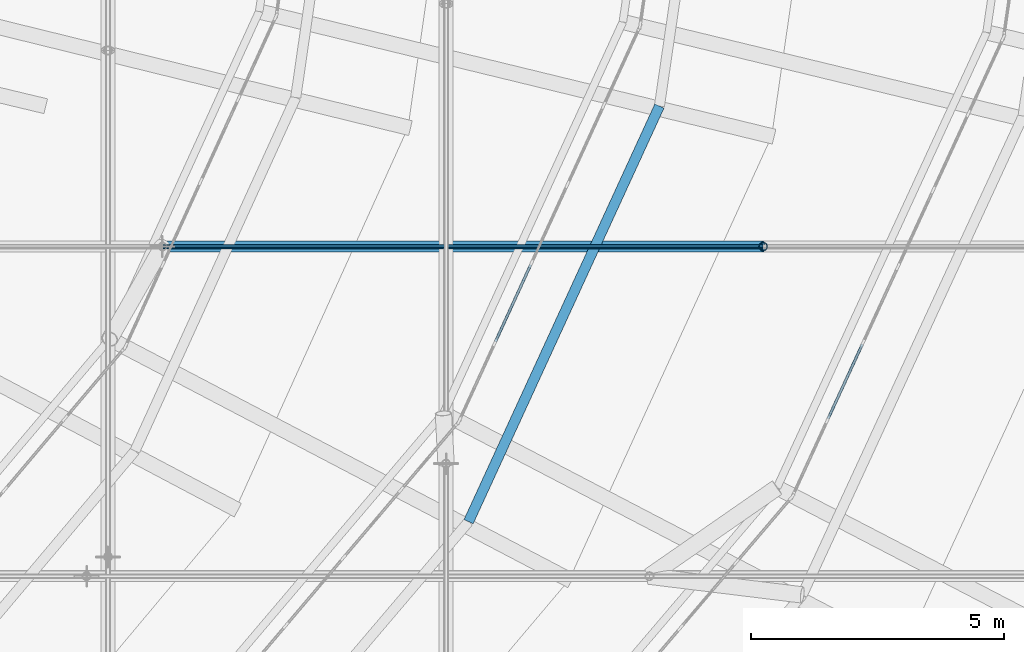
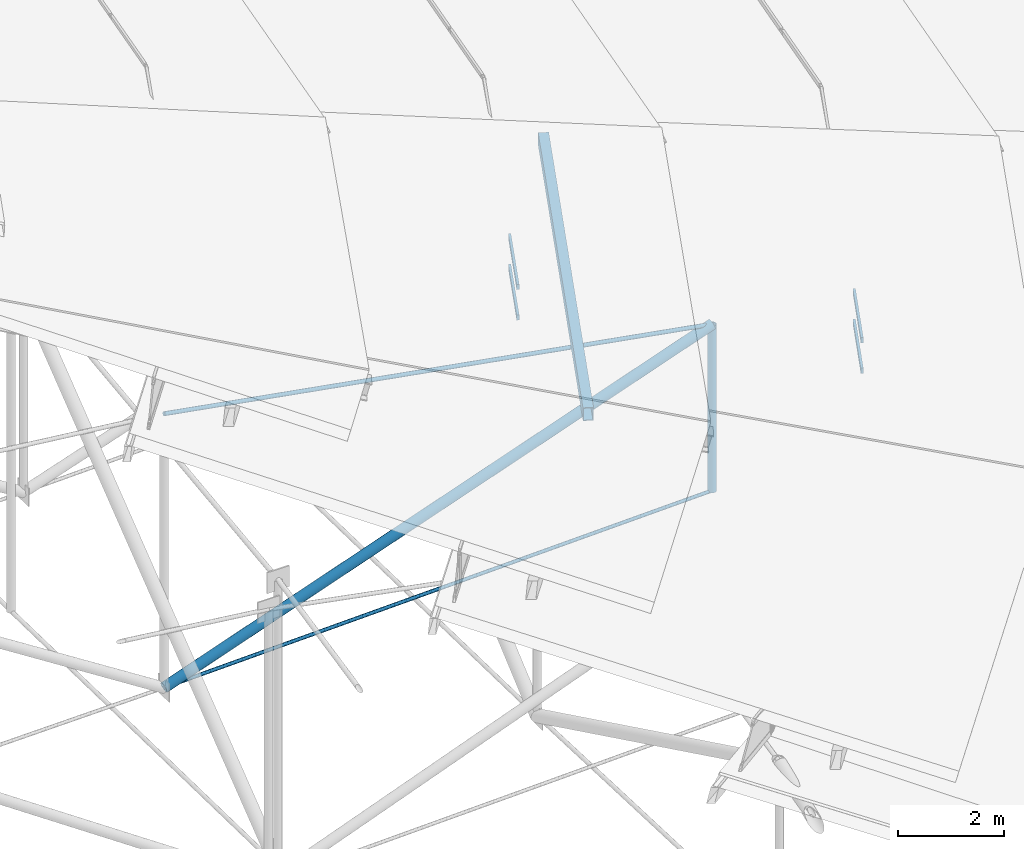
# One storey, part 82 of 173: 9 members, 2 elements without a shape of their own.
"""IFC4 building model written with IfcOpenShell, lengths in metres."""

from ifc_helpers import new_model, si_unit, direction, frame, origin, origin_2d, place, context, subcontext, project, spatial, rectangle, hollow_rectangle, circle, hollow_circle, extrude, material, material_profile, profile_set, type_object, element, aggregate, save


model = new_model("IFC4")

# Units and contexts
model_context = context("Model", 3, precision=1e-05, world=origin(), true_north=direction((0.0, 1.0)))
body_context = subcontext(model_context, "Body", "Model", "MODEL_VIEW")
ifc_project = project(units=[si_unit("LENGTHUNIT", "METRE"), si_unit("AREAUNIT", "SQUARE_METRE"), si_unit("VOLUMEUNIT", "CUBIC_METRE"), si_unit("PLANEANGLEUNIT", "RADIAN"), si_unit("MASSUNIT", "GRAM", prefix="KILO")], contexts=[model_context])

# Site, building, storey
site_placement = place(None, origin())
site = spatial("IfcSite", under=ifc_project, at=site_placement, CompositionType="ELEMENT")
building_placement = place(site_placement, origin())
building = spatial("IfcBuilding", under=site, at=building_placement, Name="Glasvene Arena", CompositionType="ELEMENT")
storey_placement = place(building_placement, frame((0.0, 0.0, 28.800048828125)))
storey = spatial("IfcBuildingStorey", under=building, at=storey_placement, Name="RF", CompositionType="ELEMENT", Elevation=28.800048828125)

# Curtain wall, members
ifc_material_1 = material(Name="Low-emissivity laminated double glazing", Category="glass")
curtain_wall_type_1 = type_object("IfcCurtainWallType", Name="CW-PET1-1001x75", PredefinedType="USERDEFINED", material=ifc_material_1)
curtain_wall_1_placement = place(storey_placement, frame((128.2431640625, 54.14990234375, 0.0)))
curtain_wall_1 = element("IfcCurtainWall", 1, at=curtain_wall_1_placement, inside=storey, type_object=curtain_wall_type_1, Name="Petal ring 1-2 clerestory curtain wall 23", ObjectType="CURTAIN WALL", PredefinedType="USERDEFINED")
ifc_material_2 = material(Name="Anodised architectural aluminium", Category="aluminium")
ifc_material_profile_1 = material_profile(ifc_material_2, rectangle(XDim=0.050048828125, YDim=0.1201171875, at=origin_2d()), Name="ALU TRANSOM 50x120")
ifc_profile_set_1 = profile_set([ifc_material_profile_1], Name="Anodised architectural aluminium")
member_type_1 = type_object("IfcMemberType", Name="CW-TRN-120", PredefinedType="USERDEFINED", material=ifc_profile_set_1)
member_1_placement = place(storey_placement, frame((128.950439453125, 55.688232421875, 2.60498046875), z_axis=(0.417823409802, 0.908528259451, 0.0), x_axis=(-0.908528259451, 0.417823409802, 0.0)))
member_1 = element("IfcMember", 2, at=member_1_placement, type_object=member_type_1, Name="CW-082 transom 2.1", ObjectType="TRANSOM", PredefinedType="USERDEFINED", context=body_context, shape_type="SweptSolid", body=[
    extrude(rectangle(XDim=0.050048828125, YDim=0.1201171875, at=origin_2d()), origin(), (0.0, 0.0, 1.0), 1.617919921875),
])
member_2_placement = place(storey_placement, frame((128.950439453125, 55.688232421875, 3.304931640625), z_axis=(0.417823409802, 0.908528259451, 0.0), x_axis=(-0.908528259451, 0.417823409802, 0.0)))
member_2 = element("IfcMember", 3, at=member_2_placement, type_object=member_type_1, Name="CW-082 transom 2.2", ObjectType="TRANSOM", PredefinedType="USERDEFINED", context=body_context, shape_type="SweptSolid", body=[
    extrude(rectangle(XDim=0.050048828125, YDim=0.1201171875, at=origin_2d()), origin(), (0.0, 0.0, 1.0), 1.617919921875),
])
aggregate(curtain_wall_1, [member_1, member_2])

curtain_wall_type_2 = type_object("IfcCurtainWallType", Name="CW-PET2-861x75", PredefinedType="USERDEFINED", material=ifc_material_1)
curtain_wall_2_placement = place(storey_placement, frame((121.640380859375, 55.625, 0.0)))
curtain_wall_2 = element("IfcCurtainWall", 4, at=curtain_wall_2_placement, inside=storey, type_object=curtain_wall_type_2, Name="Petal ring 2-3 clerestory curtain wall 23", ObjectType="CURTAIN WALL", PredefinedType="USERDEFINED")
member_3_placement = place(storey_placement, frame((122.367919921875, 57.212890625, 5.204833984375), z_axis=(0.416584319782, 0.909097082006, 0.0), x_axis=(-0.909097082006, 0.416584319782, 0.0)))
member_3 = element("IfcMember", 5, at=member_3_placement, type_object=member_type_1, Name="CW-088 transom 2.1", ObjectType="TRANSOM", PredefinedType="USERDEFINED", context=body_context, shape_type="SweptSolid", body=[
    extrude(rectangle(XDim=0.050048828125, YDim=0.1201171875, at=origin_2d()), origin(), (0.0, 0.0, 1.0), 1.672119140625),
])
member_4_placement = place(storey_placement, frame((122.367919921875, 57.212890625, 5.905029296875), z_axis=(0.416584319782, 0.909097082006, 0.0), x_axis=(-0.909097082006, 0.416584319782, 0.0)))
member_4 = element("IfcMember", 6, at=member_4_placement, type_object=member_type_1, Name="CW-088 transom 2.2", ObjectType="TRANSOM", PredefinedType="USERDEFINED", context=body_context, shape_type="SweptSolid", body=[
    extrude(rectangle(XDim=0.050048828125, YDim=0.1201171875, at=origin_2d()), origin(), (0.0, 0.0, 1.0), 1.672119140625),
])
aggregate(curtain_wall_2, [member_3, member_4])

# Members
ifc_material_3 = material(Name="High-strength steel spiral strand S460", Category="steel")
ifc_material_profile_2 = material_profile(ifc_material_3, circle(Radius=0.03759765625, at=origin_2d()), Name="LCSS D75")
ifc_profile_set_2 = profile_set([ifc_material_profile_2], Name="High-strength steel spiral strand S460")
member_type_2 = type_object("IfcMemberType", Name="MB-CABLE-75", PredefinedType="USERDEFINED", material=ifc_profile_set_2)
member_5_placement = place(storey_placement, frame((115.7763671875, 59.09423828125, -2.112548828125), z_axis=(0.999543398648, 0.0, 0.030215794201), x_axis=(0.0, 1.0, 0.0)))
element("IfcMember", 7, at=member_5_placement, inside=storey, type_object=member_type_2, Name="Lower stabilization roof cable EW02-07", ObjectType="ROOF CABLE", PredefinedType="USERDEFINED", context=body_context, shape_type="SweptSolid", body=[
    extrude(circle(Radius=0.03759765625, at=origin_2d()), origin(), (0.0, 0.0, 1.0), 11.8935546875),
])
ifc_material_profile_3 = material_profile(ifc_material_3, circle(Radius=0.044921875, at=origin_2d()), Name="LCSS D90")
ifc_profile_set_3 = profile_set([ifc_material_profile_3], Name="High-strength steel spiral strand S460")
member_type_3 = type_object("IfcMemberType", Name="MB-CABLE-90", PredefinedType="USERDEFINED", material=ifc_profile_set_3)
member_6_placement = place(storey_placement, frame((115.7763671875, 59.09423828125, 4.1669921875), z_axis=(0.98466934611, 0.0, -0.174431301178), x_axis=(0.0, 1.0, 0.0)))
element("IfcMember", 8, at=member_6_placement, inside=storey, type_object=member_type_3, Name="Upper lens roof cable EW02-07", ObjectType="ROOF CABLE", PredefinedType="USERDEFINED", context=body_context, shape_type="SweptSolid", body=[
    extrude(circle(Radius=0.044921875, at=origin_2d()), origin(), (0.0, 0.0, 1.0), 12.0732421875),
])
ifc_material_4 = material(Name="Steel S355J2", Category="steel")
ifc_material_profile_4 = material_profile(ifc_material_4, hollow_rectangle(XDim=0.199951171875, YDim=0.300048828125, WallThickness=0.012451171875, at=origin_2d()), Name="RHS 300x200x12.5")
ifc_profile_set_4 = profile_set([ifc_material_profile_4], Name="Steel S355J2")
member_type_4 = type_object("IfcMemberType", Name="MB-PURLIN-RHS300", PredefinedType="PURLIN", material=ifc_profile_set_4)
member_7_placement = place(storey_placement, frame((121.835693359375, 53.64990234375, 5.33935546875), z_axis=(0.417281625524, 0.908777225177, 0.0), x_axis=(-0.908777225177, 0.417281625524, 0.0)))
element("IfcMember", 9, at=member_7_placement, inside=storey, type_object=member_type_4, Name="Petal ring 3 outer purlin 23", PredefinedType="PURLIN", context=body_context, shape_type="SweptSolid", body=[
    extrude(hollow_rectangle(XDim=0.199951171875, YDim=0.300048828125, WallThickness=0.012451171875, at=origin_2d()), origin(), (0.0, 0.0, 1.0), 9.0498046875),
])
ifc_material_profile_5 = material_profile(ifc_material_4, hollow_circle(Radius=0.084228515625, WallThickness=0.008056640625, at=origin_2d()), Name="CHS 168.3x8.0")
ifc_profile_set_5 = profile_set([ifc_material_profile_5], Name="Steel S355J2")
member_type_5 = type_object("IfcMemberType", Name="MB-WEB-CHS168", PredefinedType="BRACE", material=ifc_profile_set_5)
member_8_placement = place(storey_placement, frame((127.66455078125, 59.09423828125, -1.753173828125), z_axis=(0.0, 0.0, 1.0), x_axis=(1.0, 0.0, 0.0)))
element("IfcMember", 10, at=member_8_placement, inside=storey, type_object=member_type_5, Name="Cable-truss vertical strut EW02-07", PredefinedType="BRACE", context=body_context, shape_type="SweptSolid", body=[
    extrude(hollow_circle(Radius=0.084228515625, WallThickness=0.008056640625, at=origin_2d()), origin(), (0.0, 0.0, 1.0), 3.814208984375),
])
ifc_material_profile_6 = material_profile(ifc_material_4, hollow_circle(Radius=0.109619140625, WallThickness=0.010009765625, at=origin_2d()), Name="CHS 219.1x10.0")
ifc_profile_set_6 = profile_set([ifc_material_profile_6], Name="Steel S355J2")
member_type_6 = type_object("IfcMemberType", Name="MB-WEB-CHS219", PredefinedType="BRACE", material=ifc_profile_set_6)
member_9_placement = place(storey_placement, frame((115.7763671875, 59.09423828125, -2.112548828125), z_axis=(0.943543148892, 0.0, 0.331249643289), x_axis=(0.0, 1.0, 0.0)))
element("IfcMember", 11, at=member_9_placement, inside=storey, type_object=member_type_6, Name="Cable-truss diagonal web strut EW02-07", PredefinedType="BRACE", context=body_context, shape_type="SweptSolid", body=[
    extrude(hollow_circle(Radius=0.109619140625, WallThickness=0.010009765625, at=origin_2d()), origin(), (0.0, 0.0, 1.0), 12.599609375),
])

save(model, "model.ifc")
